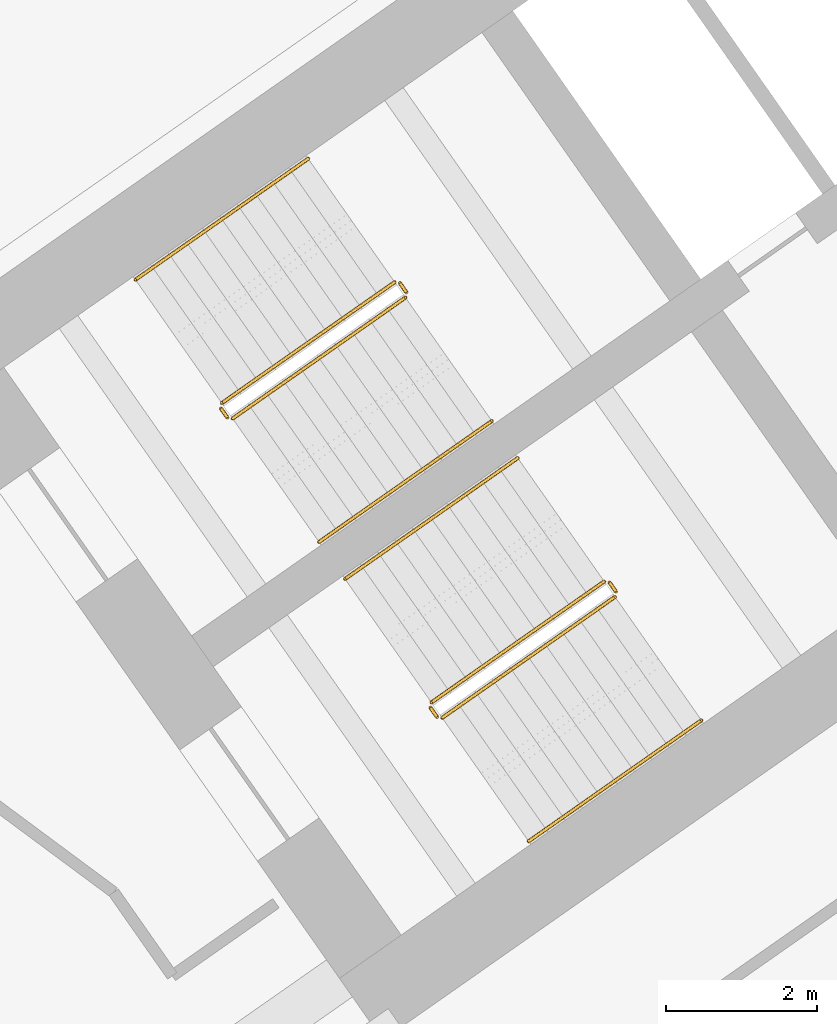
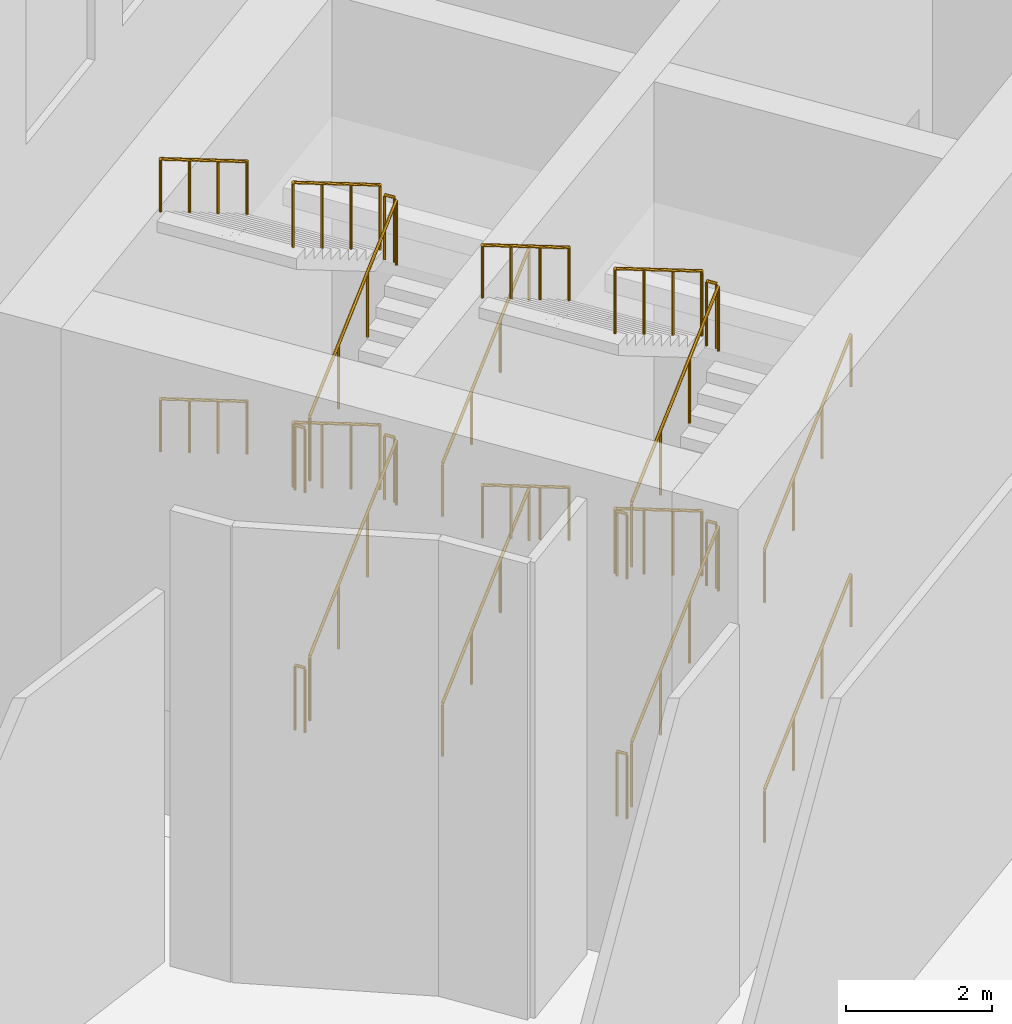
# One storey, part 25 of 27: 24 railings.
"""IFC4 building model written with IfcOpenShell, lengths in metres."""

from ifc_helpers import new_model, si_unit, direction, frame, origin, origin_2d, place, context, subcontext, project, spatial, circle, extrude, material, type_object, element, save


model = new_model("IFC4")

# Units and contexts
model_context = context("Model", 3, precision=1e-05, world=origin(), true_north=direction((0.0, 1.0)))
body_context = subcontext(model_context, "Body", "Model", "MODEL_VIEW")
ifc_project = project(units=[si_unit("LENGTHUNIT", "METRE"), si_unit("AREAUNIT", "SQUARE_METRE"), si_unit("VOLUMEUNIT", "CUBIC_METRE"), si_unit("PLANEANGLEUNIT", "RADIAN"), si_unit("MASSUNIT", "GRAM", prefix="KILO")], contexts=[model_context])

# Site, building, storey
site_placement = place(None, origin())
site = spatial("IfcSite", under=ifc_project, at=site_placement, CompositionType="ELEMENT")
building_placement = place(site_placement, origin())
building = spatial("IfcBuilding", under=site, at=building_placement, Name="Tel Ilan Convention Tower", CompositionType="ELEMENT")
storey_placement = place(building_placement, frame((0.0, 0.0, 18.0)))
storey = spatial("IfcBuildingStorey", under=building, at=storey_placement, Name="L02", CompositionType="ELEMENT", Elevation=18.0)

# Railings
ifc_material_1 = material(Name="Stainless Steel Grade 316", Category="steel")
railing_type_1 = type_object("IfcRailingType", Name="Stainless Steel Stair Guard 1100 mm", PredefinedType="GUARDRAIL", material=ifc_material_1)
railing_1_placement = place(storey_placement, frame((-23.535400390625, -8.056396484375, 0.181884765625)))
element("IfcRailing", 1, at=railing_1_placement, inside=storey, type_object=railing_type_1, Name="L02 S1 stair guard 1", PredefinedType="GUARDRAIL", context=body_context, shape_type="SweptSolid", body=[
    extrude(circle(Radius=0.02392578125, at=origin_2d()), frame((0.0, 0.0, 1.076171875), z_axis=(0.687017446204, 0.481095026991, 0.544568272686), x_axis=(-0.573608623498, 0.819129505664, 0.0)), (0.0, 0.0, 1.0), 3.338623046875),
    extrude(circle(Radius=0.02099609375, at=origin_2d()), origin(), (0.0, 0.0, 1.0), 1.052001953125),
    extrude(circle(Radius=0.02099609375, at=origin_2d()), frame((0.7646484375, 0.535400390625, 0.60595703125)), (0.0, 0.0, 1.0), 1.052001953125),
    extrude(circle(Radius=0.02099609375, at=origin_2d()), frame((1.529052734375, 1.07080078125, 1.212158203125)), (0.0, 0.0, 1.0), 1.052001953125),
    extrude(circle(Radius=0.02099609375, at=origin_2d()), frame((2.293701171875, 1.606201171875, 1.818115234375)), (0.0, 0.0, 1.0), 1.052001953125),
])
railing_2_placement = place(storey_placement, frame((-21.2294921875, -6.380615234375, 2.0)))
element("IfcRailing", 2, at=railing_2_placement, inside=storey, type_object=railing_type_1, Name="L02 S1 stair guard 2", PredefinedType="GUARDRAIL", context=body_context, shape_type="SweptSolid", body=[
    extrude(circle(Radius=0.02392578125, at=origin_2d()), frame((0.0, 0.0, 1.076171875), z_axis=(-0.573353020881, 0.819308436089, 0.0), x_axis=(-0.819308436089, -0.573353020881, 0.0)), (0.0, 0.0, 1.0), 0.14990234375),
    extrude(circle(Radius=0.02099609375, at=origin_2d()), origin(), (0.0, 0.0, 1.0), 1.052001953125),
    extrude(circle(Radius=0.02099609375, at=origin_2d()), frame((-0.0859375, 0.122802734375, 0.0)), (0.0, 0.0, 1.0), 1.052001953125),
])
railing_3_placement = place(storey_placement, frame((-21.38525390625, -6.24560546875, 2.181884765625)))
element("IfcRailing", 3, at=railing_3_placement, inside=storey, type_object=railing_type_1, Name="L02 S1 stair guard 3", PredefinedType="GUARDRAIL", context=body_context, shape_type="SweptSolid", body=[
    extrude(circle(Radius=0.02392578125, at=origin_2d()), frame((0.0, 0.0, 1.076171875), z_axis=(-0.687003002444, -0.481062992344, 0.544614792335), x_axis=(0.573591086599, -0.819141785879, 0.0)), (0.0, 0.0, 1.0), 3.33837890625),
    extrude(circle(Radius=0.02099609375, at=origin_2d()), origin(), (0.0, 0.0, 1.0), 1.052001953125),
    extrude(circle(Radius=0.02099609375, at=origin_2d()), frame((-0.764404296875, -0.535400390625, 0.60595703125)), (0.0, 0.0, 1.0), 1.052001953125),
    extrude(circle(Radius=0.02099609375, at=origin_2d()), frame((-1.529052734375, -1.070556640625, 1.212158203125)), (0.0, 0.0, 1.0), 1.052001953125),
    extrude(circle(Radius=0.02099609375, at=origin_2d()), frame((-2.29345703125, -1.60595703125, 1.818115234375)), (0.0, 0.0, 1.0), 1.052001953125),
])
railing_4_placement = place(storey_placement, frame((-23.60498046875, -8.0439453125, 4.0)))
element("IfcRailing", 4, at=railing_4_placement, inside=storey, type_object=railing_type_1, Name="L02 S1 stair guard 4", PredefinedType="GUARDRAIL", context=body_context, shape_type="SweptSolid", body=[
    extrude(circle(Radius=0.02392578125, at=origin_2d()), frame((0.0, 0.0, 1.076171875), z_axis=(-0.574444878118, 0.818543268254, 0.0), x_axis=(-0.818543268254, -0.574444878118, 0.0)), (0.0, 0.0, 1.0), 0.150146484375),
    extrude(circle(Radius=0.02099609375, at=origin_2d()), origin(), (0.0, 0.0, 1.0), 1.052001953125),
    extrude(circle(Radius=0.02099609375, at=origin_2d()), frame((-0.086181640625, 0.122802734375, 0.0)), (0.0, 0.0, 1.0), 1.052001953125),
])
railing_5_placement = place(storey_placement, frame((-23.535400390625, -8.056396484375, 4.181884765625)))
element("IfcRailing", 5, at=railing_5_placement, inside=storey, type_object=railing_type_1, Name="L02 S1 stair guard 5", PredefinedType="GUARDRAIL", context=body_context, shape_type="SweptSolid", body=[
    extrude(circle(Radius=0.02392578125, at=origin_2d()), frame((0.0, 0.0, 1.076171875), z_axis=(0.687017446204, 0.481095026991, 0.544568272686), x_axis=(-0.573608623498, 0.819129505664, 0.0)), (0.0, 0.0, 1.0), 3.338623046875),
    extrude(circle(Radius=0.02099609375, at=origin_2d()), origin(), (0.0, 0.0, 1.0), 1.052001953125),
    extrude(circle(Radius=0.02099609375, at=origin_2d()), frame((0.7646484375, 0.535400390625, 0.60595703125)), (0.0, 0.0, 1.0), 1.052001953125),
    extrude(circle(Radius=0.02099609375, at=origin_2d()), frame((1.529052734375, 1.07080078125, 1.212158203125)), (0.0, 0.0, 1.0), 1.052001953125),
    extrude(circle(Radius=0.02099609375, at=origin_2d()), frame((2.293701171875, 1.606201171875, 1.818115234375)), (0.0, 0.0, 1.0), 1.052001953125),
])
railing_6_placement = place(storey_placement, frame((-21.2294921875, -6.380615234375, 6.0)))
element("IfcRailing", 6, at=railing_6_placement, inside=storey, type_object=railing_type_1, Name="L02 S1 stair guard 6", PredefinedType="GUARDRAIL", context=body_context, shape_type="SweptSolid", body=[
    extrude(circle(Radius=0.02392578125, at=origin_2d()), frame((0.0, 0.0, 1.076171875), z_axis=(-0.573353020881, 0.819308436089, 0.0), x_axis=(-0.819308436089, -0.573353020881, 0.0)), (0.0, 0.0, 1.0), 0.14990234375),
    extrude(circle(Radius=0.02099609375, at=origin_2d()), origin(), (0.0, 0.0, 1.0), 1.052001953125),
    extrude(circle(Radius=0.02099609375, at=origin_2d()), frame((-0.0859375, 0.122802734375, 0.0)), (0.0, 0.0, 1.0), 1.052001953125),
])
railing_7_placement = place(storey_placement, frame((-21.38525390625, -6.24560546875, 6.181884765625)))
element("IfcRailing", 7, at=railing_7_placement, inside=storey, type_object=railing_type_1, Name="L02 S1 stair guard 7", PredefinedType="GUARDRAIL", context=body_context, shape_type="SweptSolid", body=[
    extrude(circle(Radius=0.02392578125, at=origin_2d()), frame((0.0, 0.0, 1.076171875), z_axis=(-0.687003002444, -0.481062992344, 0.544614792335), x_axis=(0.573591086599, -0.819141785879, 0.0)), (0.0, 0.0, 1.0), 3.33837890625),
    extrude(circle(Radius=0.02099609375, at=origin_2d()), origin(), (0.0, 0.0, 1.0), 1.052001953125),
    extrude(circle(Radius=0.02099609375, at=origin_2d()), frame((-0.764404296875, -0.535400390625, 0.60595703125)), (0.0, 0.0, 1.0), 1.052001953125),
    extrude(circle(Radius=0.02099609375, at=origin_2d()), frame((-1.529052734375, -1.070556640625, 1.212158203125)), (0.0, 0.0, 1.0), 1.052001953125),
    extrude(circle(Radius=0.02099609375, at=origin_2d()), frame((-2.29345703125, -1.60595703125, 1.818115234375)), (0.0, 0.0, 1.0), 1.052001953125),
])
railing_8_placement = place(storey_placement, frame((-23.60498046875, -8.0439453125, 0.0)))
element("IfcRailing", 8, at=railing_8_placement, inside=storey, type_object=railing_type_1, Name="L02 S1 stair guard 8", PredefinedType="GUARDRAIL", context=body_context, shape_type="SweptSolid", body=[
    extrude(circle(Radius=0.02392578125, at=origin_2d()), frame((0.0, 0.0, 1.076171875), z_axis=(-0.574444878118, 0.818543268254, 0.0), x_axis=(-0.818543268254, -0.574444878118, 0.0)), (0.0, 0.0, 1.0), 0.150146484375),
    extrude(circle(Radius=0.02099609375, at=origin_2d()), origin(), (0.0, 0.0, 1.0), 1.052001953125),
    extrude(circle(Radius=0.02099609375, at=origin_2d()), frame((-0.086181640625, 0.122802734375, 0.0)), (0.0, 0.0, 1.0), 1.052001953125),
])
railing_9_placement = place(storey_placement, frame((-20.753662109375, -12.029296875, 0.181884765625)))
element("IfcRailing", 9, at=railing_9_placement, inside=storey, type_object=railing_type_1, Name="L02 S2 stair guard 1", PredefinedType="GUARDRAIL", context=body_context, shape_type="SweptSolid", body=[
    extrude(circle(Radius=0.02392578125, at=origin_2d()), frame((0.0, 0.0, 1.076171875), z_axis=(0.687017446204, 0.481095026991, 0.544568272686), x_axis=(-0.573608623498, 0.819129505664, 0.0)), (0.0, 0.0, 1.0), 3.338623046875),
    extrude(circle(Radius=0.02099609375, at=origin_2d()), origin(), (0.0, 0.0, 1.0), 1.052001953125),
    extrude(circle(Radius=0.02099609375, at=origin_2d()), frame((0.7646484375, 0.535400390625, 0.60595703125)), (0.0, 0.0, 1.0), 1.052001953125),
    extrude(circle(Radius=0.02099609375, at=origin_2d()), frame((1.529052734375, 1.07080078125, 1.212158203125)), (0.0, 0.0, 1.0), 1.052001953125),
    extrude(circle(Radius=0.02099609375, at=origin_2d()), frame((2.293701171875, 1.606201171875, 1.818115234375)), (0.0, 0.0, 1.0), 1.052001953125),
])
railing_10_placement = place(storey_placement, frame((-18.44775390625, -10.353515625, 2.0)))
element("IfcRailing", 10, at=railing_10_placement, inside=storey, type_object=railing_type_1, Name="L02 S2 stair guard 2", PredefinedType="GUARDRAIL", context=body_context, shape_type="SweptSolid", body=[
    extrude(circle(Radius=0.02392578125, at=origin_2d()), frame((0.0, 0.0, 1.076171875), z_axis=(-0.573353020881, 0.819308436089, 0.0), x_axis=(-0.819308436089, -0.573353020881, 0.0)), (0.0, 0.0, 1.0), 0.14990234375),
    extrude(circle(Radius=0.02099609375, at=origin_2d()), origin(), (0.0, 0.0, 1.0), 1.052001953125),
    extrude(circle(Radius=0.02099609375, at=origin_2d()), frame((-0.0859375, 0.122802734375, 0.0)), (0.0, 0.0, 1.0), 1.052001953125),
])
railing_11_placement = place(storey_placement, frame((-18.603271484375, -10.218505859375, 2.181884765625)))
element("IfcRailing", 11, at=railing_11_placement, inside=storey, type_object=railing_type_1, Name="L02 S2 stair guard 3", PredefinedType="GUARDRAIL", context=body_context, shape_type="SweptSolid", body=[
    extrude(circle(Radius=0.02392578125, at=origin_2d()), frame((0.0, 0.0, 1.076171875), z_axis=(-0.687041615251, -0.481038823323, 0.544587430418), x_axis=(0.573550118428, -0.819170471667, 0.0)), (0.0, 0.0, 1.0), 3.338623046875),
    extrude(circle(Radius=0.02099609375, at=origin_2d()), origin(), (0.0, 0.0, 1.0), 1.052001953125),
    extrude(circle(Radius=0.02099609375, at=origin_2d()), frame((-0.7646484375, -0.535400390625, 0.60595703125)), (0.0, 0.0, 1.0), 1.052001953125),
    extrude(circle(Radius=0.02099609375, at=origin_2d()), frame((-1.529052734375, -1.070556640625, 1.212158203125)), (0.0, 0.0, 1.0), 1.052001953125),
    extrude(circle(Radius=0.02099609375, at=origin_2d()), frame((-2.293701171875, -1.60595703125, 1.818115234375)), (0.0, 0.0, 1.0), 1.052001953125),
])
railing_12_placement = place(storey_placement, frame((-20.8232421875, -12.016845703125, 4.0)))
element("IfcRailing", 12, at=railing_12_placement, inside=storey, type_object=railing_type_1, Name="L02 S2 stair guard 4", PredefinedType="GUARDRAIL", context=body_context, shape_type="SweptSolid", body=[
    extrude(circle(Radius=0.02392578125, at=origin_2d()), frame((0.0, 0.0, 1.076171875), z_axis=(-0.573353020881, 0.819308436089, 0.0), x_axis=(-0.819308436089, -0.573353020881, 0.0)), (0.0, 0.0, 1.0), 0.14990234375),
    extrude(circle(Radius=0.02099609375, at=origin_2d()), origin(), (0.0, 0.0, 1.0), 1.052001953125),
    extrude(circle(Radius=0.02099609375, at=origin_2d()), frame((-0.0859375, 0.122802734375, 0.0)), (0.0, 0.0, 1.0), 1.052001953125),
])
railing_13_placement = place(storey_placement, frame((-20.753662109375, -12.029296875, 4.181884765625)))
element("IfcRailing", 13, at=railing_13_placement, inside=storey, type_object=railing_type_1, Name="L02 S2 stair guard 5", PredefinedType="GUARDRAIL", context=body_context, shape_type="SweptSolid", body=[
    extrude(circle(Radius=0.02392578125, at=origin_2d()), frame((0.0, 0.0, 1.076171875), z_axis=(0.687017446204, 0.481095026991, 0.544568272686), x_axis=(-0.573608623498, 0.819129505664, 0.0)), (0.0, 0.0, 1.0), 3.338623046875),
    extrude(circle(Radius=0.02099609375, at=origin_2d()), origin(), (0.0, 0.0, 1.0), 1.052001953125),
    extrude(circle(Radius=0.02099609375, at=origin_2d()), frame((0.7646484375, 0.535400390625, 0.60595703125)), (0.0, 0.0, 1.0), 1.052001953125),
    extrude(circle(Radius=0.02099609375, at=origin_2d()), frame((1.529052734375, 1.07080078125, 1.212158203125)), (0.0, 0.0, 1.0), 1.052001953125),
    extrude(circle(Radius=0.02099609375, at=origin_2d()), frame((2.293701171875, 1.606201171875, 1.818115234375)), (0.0, 0.0, 1.0), 1.052001953125),
])
railing_14_placement = place(storey_placement, frame((-18.44775390625, -10.353515625, 6.0)))
element("IfcRailing", 14, at=railing_14_placement, inside=storey, type_object=railing_type_1, Name="L02 S2 stair guard 6", PredefinedType="GUARDRAIL", context=body_context, shape_type="SweptSolid", body=[
    extrude(circle(Radius=0.02392578125, at=origin_2d()), frame((0.0, 0.0, 1.076171875), z_axis=(-0.573353020881, 0.819308436089, 0.0), x_axis=(-0.819308436089, -0.573353020881, 0.0)), (0.0, 0.0, 1.0), 0.14990234375),
    extrude(circle(Radius=0.02099609375, at=origin_2d()), origin(), (0.0, 0.0, 1.0), 1.052001953125),
    extrude(circle(Radius=0.02099609375, at=origin_2d()), frame((-0.0859375, 0.122802734375, 0.0)), (0.0, 0.0, 1.0), 1.052001953125),
])
railing_15_placement = place(storey_placement, frame((-18.603271484375, -10.218505859375, 6.181884765625)))
element("IfcRailing", 15, at=railing_15_placement, inside=storey, type_object=railing_type_1, Name="L02 S2 stair guard 7", PredefinedType="GUARDRAIL", context=body_context, shape_type="SweptSolid", body=[
    extrude(circle(Radius=0.02392578125, at=origin_2d()), frame((0.0, 0.0, 1.076171875), z_axis=(-0.687041615251, -0.481038823323, 0.544587430418), x_axis=(0.573550118428, -0.819170471667, 0.0)), (0.0, 0.0, 1.0), 3.338623046875),
    extrude(circle(Radius=0.02099609375, at=origin_2d()), origin(), (0.0, 0.0, 1.0), 1.052001953125),
    extrude(circle(Radius=0.02099609375, at=origin_2d()), frame((-0.7646484375, -0.535400390625, 0.60595703125)), (0.0, 0.0, 1.0), 1.052001953125),
    extrude(circle(Radius=0.02099609375, at=origin_2d()), frame((-1.529052734375, -1.070556640625, 1.212158203125)), (0.0, 0.0, 1.0), 1.052001953125),
    extrude(circle(Radius=0.02099609375, at=origin_2d()), frame((-2.293701171875, -1.60595703125, 1.818115234375)), (0.0, 0.0, 1.0), 1.052001953125),
])
railing_16_placement = place(storey_placement, frame((-20.8232421875, -12.016845703125, 0.0)))
element("IfcRailing", 16, at=railing_16_placement, inside=storey, type_object=railing_type_1, Name="L02 S2 stair guard 8", PredefinedType="GUARDRAIL", context=body_context, shape_type="SweptSolid", body=[
    extrude(circle(Radius=0.02392578125, at=origin_2d()), frame((0.0, 0.0, 1.076171875), z_axis=(-0.573353020881, 0.819308436089, 0.0), x_axis=(-0.819308436089, -0.573353020881, 0.0)), (0.0, 0.0, 1.0), 0.14990234375),
    extrude(circle(Radius=0.02099609375, at=origin_2d()), origin(), (0.0, 0.0, 1.0), 1.052001953125),
    extrude(circle(Radius=0.02099609375, at=origin_2d()), frame((-0.0859375, 0.122802734375, 0.0)), (0.0, 0.0, 1.0), 1.052001953125),
])
ifc_material_2 = material(Name="Stainless Steel Grade 316", Category="steel")
railing_type_2 = type_object("IfcRailingType", Name="Stainless Steel Stair Handrail 900 mm", PredefinedType="HANDRAIL", material=ifc_material_2)
railing_17_placement = place(storey_placement, frame((-22.38818359375, -9.694580078125, 0.181884765625)))
element("IfcRailing", 17, at=railing_17_placement, inside=storey, type_object=railing_type_2, Name="L02 S1 stair handrail 1", PredefinedType="HANDRAIL", context=body_context, shape_type="SweptSolid", body=[
    extrude(circle(Radius=0.02392578125, at=origin_2d()), frame((0.0, 0.0, 0.8759765625), z_axis=(0.687003002444, 0.481062992344, 0.544614792335), x_axis=(-0.573591086599, 0.819141785879, 0.0)), (0.0, 0.0, 1.0), 3.33837890625),
    extrude(circle(Radius=0.02099609375, at=origin_2d()), origin(), (0.0, 0.0, 1.0), 0.851806640625),
    extrude(circle(Radius=0.02099609375, at=origin_2d()), frame((0.764404296875, 0.535400390625, 0.60595703125)), (0.0, 0.0, 1.0), 0.851806640625),
    extrude(circle(Radius=0.02099609375, at=origin_2d()), frame((1.529052734375, 1.070556640625, 1.212158203125)), (0.0, 0.0, 1.0), 0.851806640625),
    extrude(circle(Radius=0.02099609375, at=origin_2d()), frame((2.29345703125, 1.60595703125, 1.818115234375)), (0.0, 0.0, 1.0), 0.851806640625),
])
railing_18_placement = place(storey_placement, frame((-22.5322265625, -4.607177734375, 2.181884765625)))
element("IfcRailing", 18, at=railing_18_placement, inside=storey, type_object=railing_type_2, Name="L02 S1 stair handrail 2", PredefinedType="HANDRAIL", context=body_context, shape_type="SweptSolid", body=[
    extrude(circle(Radius=0.02392578125, at=origin_2d()), frame((0.0, 0.0, 0.8759765625), z_axis=(-0.687041615251, -0.481038823323, 0.544587430418), x_axis=(0.573550118428, -0.819170471667, 0.0)), (0.0, 0.0, 1.0), 3.338623046875),
    extrude(circle(Radius=0.02099609375, at=origin_2d()), origin(), (0.0, 0.0, 1.0), 0.851806640625),
    extrude(circle(Radius=0.02099609375, at=origin_2d()), frame((-0.7646484375, -0.535400390625, 0.60595703125)), (0.0, 0.0, 1.0), 0.851806640625),
    extrude(circle(Radius=0.02099609375, at=origin_2d()), frame((-1.529052734375, -1.070556640625, 1.212158203125)), (0.0, 0.0, 1.0), 0.851806640625),
    extrude(circle(Radius=0.02099609375, at=origin_2d()), frame((-2.293701171875, -1.60595703125, 1.818115234375)), (0.0, 0.0, 1.0), 0.851806640625),
])
railing_19_placement = place(storey_placement, frame((-22.38818359375, -9.694580078125, 4.181884765625)))
element("IfcRailing", 19, at=railing_19_placement, inside=storey, type_object=railing_type_2, Name="L02 S1 stair handrail 3", PredefinedType="HANDRAIL", context=body_context, shape_type="SweptSolid", body=[
    extrude(circle(Radius=0.02392578125, at=origin_2d()), frame((0.0, 0.0, 0.8759765625), z_axis=(0.687003002444, 0.481062992344, 0.544614792335), x_axis=(-0.573591086599, 0.819141785879, 0.0)), (0.0, 0.0, 1.0), 3.33837890625),
    extrude(circle(Radius=0.02099609375, at=origin_2d()), origin(), (0.0, 0.0, 1.0), 0.851806640625),
    extrude(circle(Radius=0.02099609375, at=origin_2d()), frame((0.764404296875, 0.535400390625, 0.60595703125)), (0.0, 0.0, 1.0), 0.851806640625),
    extrude(circle(Radius=0.02099609375, at=origin_2d()), frame((1.529052734375, 1.070556640625, 1.212158203125)), (0.0, 0.0, 1.0), 0.851806640625),
    extrude(circle(Radius=0.02099609375, at=origin_2d()), frame((2.29345703125, 1.60595703125, 1.818115234375)), (0.0, 0.0, 1.0), 0.851806640625),
])
railing_20_placement = place(storey_placement, frame((-22.5322265625, -4.607177734375, 6.181884765625)))
element("IfcRailing", 20, at=railing_20_placement, inside=storey, type_object=railing_type_2, Name="L02 S1 stair handrail 4", PredefinedType="HANDRAIL", context=body_context, shape_type="SweptSolid", body=[
    extrude(circle(Radius=0.02392578125, at=origin_2d()), frame((0.0, 0.0, 0.8759765625), z_axis=(-0.687041615251, -0.481038823323, 0.544587430418), x_axis=(0.573550118428, -0.819170471667, 0.0)), (0.0, 0.0, 1.0), 3.338623046875),
    extrude(circle(Radius=0.02099609375, at=origin_2d()), origin(), (0.0, 0.0, 1.0), 0.851806640625),
    extrude(circle(Radius=0.02099609375, at=origin_2d()), frame((-0.7646484375, -0.535400390625, 0.60595703125)), (0.0, 0.0, 1.0), 0.851806640625),
    extrude(circle(Radius=0.02099609375, at=origin_2d()), frame((-1.529052734375, -1.070556640625, 1.212158203125)), (0.0, 0.0, 1.0), 0.851806640625),
    extrude(circle(Radius=0.02099609375, at=origin_2d()), frame((-2.293701171875, -1.60595703125, 1.818115234375)), (0.0, 0.0, 1.0), 0.851806640625),
])
railing_21_placement = place(storey_placement, frame((-19.6064453125, -13.66748046875, 0.181884765625)))
element("IfcRailing", 21, at=railing_21_placement, inside=storey, type_object=railing_type_2, Name="L02 S2 stair handrail 1", PredefinedType="HANDRAIL", context=body_context, shape_type="SweptSolid", body=[
    extrude(circle(Radius=0.02392578125, at=origin_2d()), frame((0.0, 0.0, 0.8759765625), z_axis=(0.687041615251, 0.481038823323, 0.544587430418), x_axis=(-0.573550118428, 0.819170471667, 0.0)), (0.0, 0.0, 1.0), 3.338623046875),
    extrude(circle(Radius=0.02099609375, at=origin_2d()), origin(), (0.0, 0.0, 1.0), 0.851806640625),
    extrude(circle(Radius=0.02099609375, at=origin_2d()), frame((0.7646484375, 0.535400390625, 0.60595703125)), (0.0, 0.0, 1.0), 0.851806640625),
    extrude(circle(Radius=0.02099609375, at=origin_2d()), frame((1.529052734375, 1.070556640625, 1.212158203125)), (0.0, 0.0, 1.0), 0.851806640625),
    extrude(circle(Radius=0.02099609375, at=origin_2d()), frame((2.293701171875, 1.60595703125, 1.818115234375)), (0.0, 0.0, 1.0), 0.851806640625),
])
railing_22_placement = place(storey_placement, frame((-19.75048828125, -8.580078125, 2.181884765625)))
element("IfcRailing", 22, at=railing_22_placement, inside=storey, type_object=railing_type_2, Name="L02 S2 stair handrail 2", PredefinedType="HANDRAIL", context=body_context, shape_type="SweptSolid", body=[
    extrude(circle(Radius=0.02392578125, at=origin_2d()), frame((0.0, 0.0, 0.8759765625), z_axis=(-0.687041615251, -0.481038823323, 0.544587430418), x_axis=(0.573550118428, -0.819170471667, 0.0)), (0.0, 0.0, 1.0), 3.338623046875),
    extrude(circle(Radius=0.02099609375, at=origin_2d()), origin(), (0.0, 0.0, 1.0), 0.851806640625),
    extrude(circle(Radius=0.02099609375, at=origin_2d()), frame((-0.7646484375, -0.535400390625, 0.60595703125)), (0.0, 0.0, 1.0), 0.851806640625),
    extrude(circle(Radius=0.02099609375, at=origin_2d()), frame((-1.529052734375, -1.070556640625, 1.212158203125)), (0.0, 0.0, 1.0), 0.851806640625),
    extrude(circle(Radius=0.02099609375, at=origin_2d()), frame((-2.293701171875, -1.60595703125, 1.818115234375)), (0.0, 0.0, 1.0), 0.851806640625),
])
railing_23_placement = place(storey_placement, frame((-19.6064453125, -13.66748046875, 4.181884765625)))
element("IfcRailing", 23, at=railing_23_placement, inside=storey, type_object=railing_type_2, Name="L02 S2 stair handrail 3", PredefinedType="HANDRAIL", context=body_context, shape_type="SweptSolid", body=[
    extrude(circle(Radius=0.02392578125, at=origin_2d()), frame((0.0, 0.0, 0.8759765625), z_axis=(0.687041615251, 0.481038823323, 0.544587430418), x_axis=(-0.573550118428, 0.819170471667, 0.0)), (0.0, 0.0, 1.0), 3.338623046875),
    extrude(circle(Radius=0.02099609375, at=origin_2d()), origin(), (0.0, 0.0, 1.0), 0.851806640625),
    extrude(circle(Radius=0.02099609375, at=origin_2d()), frame((0.7646484375, 0.535400390625, 0.60595703125)), (0.0, 0.0, 1.0), 0.851806640625),
    extrude(circle(Radius=0.02099609375, at=origin_2d()), frame((1.529052734375, 1.070556640625, 1.212158203125)), (0.0, 0.0, 1.0), 0.851806640625),
    extrude(circle(Radius=0.02099609375, at=origin_2d()), frame((2.293701171875, 1.60595703125, 1.818115234375)), (0.0, 0.0, 1.0), 0.851806640625),
])
railing_24_placement = place(storey_placement, frame((-19.75048828125, -8.580078125, 6.181884765625)))
element("IfcRailing", 24, at=railing_24_placement, inside=storey, type_object=railing_type_2, Name="L02 S2 stair handrail 4", PredefinedType="HANDRAIL", context=body_context, shape_type="SweptSolid", body=[
    extrude(circle(Radius=0.02392578125, at=origin_2d()), frame((0.0, 0.0, 0.8759765625), z_axis=(-0.687041615251, -0.481038823323, 0.544587430418), x_axis=(0.573550118428, -0.819170471667, 0.0)), (0.0, 0.0, 1.0), 3.338623046875),
    extrude(circle(Radius=0.02099609375, at=origin_2d()), origin(), (0.0, 0.0, 1.0), 0.851806640625),
    extrude(circle(Radius=0.02099609375, at=origin_2d()), frame((-0.7646484375, -0.535400390625, 0.60595703125)), (0.0, 0.0, 1.0), 0.851806640625),
    extrude(circle(Radius=0.02099609375, at=origin_2d()), frame((-1.529052734375, -1.070556640625, 1.212158203125)), (0.0, 0.0, 1.0), 0.851806640625),
    extrude(circle(Radius=0.02099609375, at=origin_2d()), frame((-2.293701171875, -1.60595703125, 1.818115234375)), (0.0, 0.0, 1.0), 0.851806640625),
])

save(model, "model.ifc")
